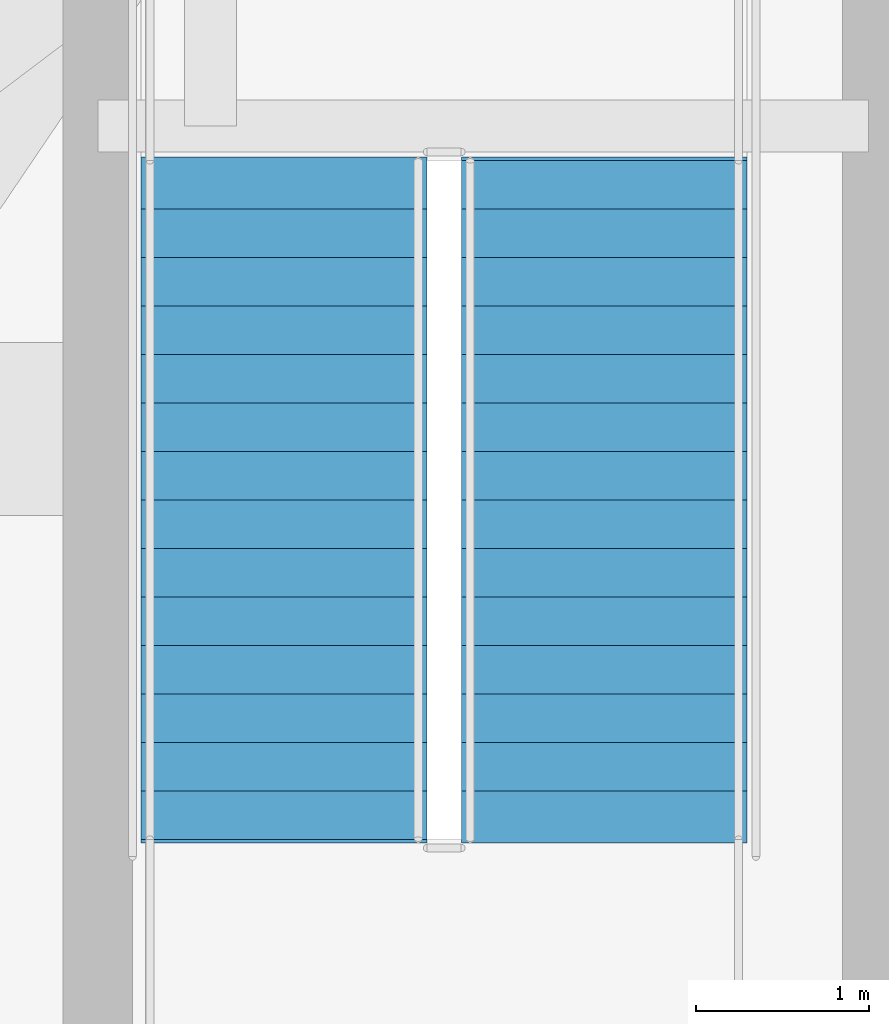
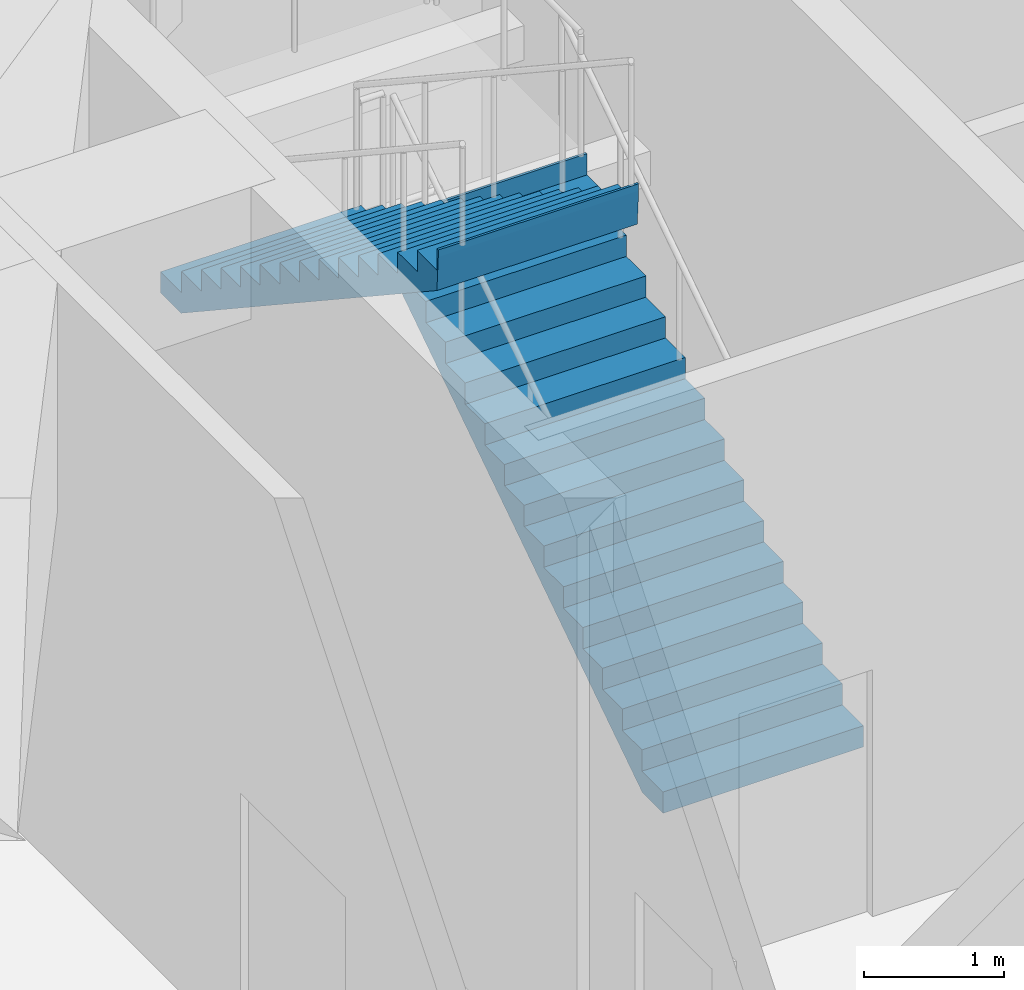
# One storey, part 34 of 38: 2 stair flights, 1 element without a shape of its own.
"""IFC4 building model written with IfcOpenShell, lengths in metres."""

from ifc_helpers import new_model, si_unit, direction, frame, origin, place, context, subcontext, project, spatial, polygons, material, type_object, element, aggregate, save


model = new_model("IFC4")

# Units and contexts
model_context = context("Model", 3, precision=1e-05, world=origin(), true_north=direction((0.0, 1.0)))
body_context = subcontext(model_context, "Body", "Model", "MODEL_VIEW")
ifc_project = project(units=[si_unit("LENGTHUNIT", "METRE"), si_unit("AREAUNIT", "SQUARE_METRE"), si_unit("VOLUMEUNIT", "CUBIC_METRE"), si_unit("PLANEANGLEUNIT", "RADIAN"), si_unit("MASSUNIT", "GRAM", prefix="KILO")], contexts=[model_context])

# Site, building, storey
site_placement = place(None, origin())
site = spatial("IfcSite", under=ifc_project, at=site_placement, CompositionType="ELEMENT")
building_placement = place(site_placement, origin())
building = spatial("IfcBuilding", under=site, at=building_placement, Name="Serunith Strait Residences", CompositionType="ELEMENT")
storey_placement = place(building_placement, frame((0.0, 0.0, 204.89990234375)))
storey = spatial("IfcBuildingStorey", under=building, at=storey_placement, Name="L51", CompositionType="ELEMENT", Elevation=204.89990234375)

# Stair, stair flights
ifc_material = material(Name="Concrete C50/60", Category="concrete")
stair_type = type_object("IfcStairType", Name="STR-CORE-1", PredefinedType="HALF_TURN_STAIR", material=ifc_material)
stair_placement = place(storey_placement, origin())
stair = element("IfcStair", 1, at=stair_placement, inside=storey, type_object=stair_type, Name="L51 Protected Escape Stair ST-1", PredefinedType="HALF_TURN_STAIR")
stair_flight_type = type_object("IfcStairFlightType", Name="FLT-CORE-1", PredefinedType="STRAIGHT", material=ifc_material)
stair_flight_1_placement = place(storey_placement, frame((26.324951171875, 27.030029296875, 0.0), z_axis=(0.0, 0.0, 1.0), x_axis=(0.0, 1.0, 0.0)))
stair_flight_1 = element("IfcStairFlight", 2, at=stair_flight_1_placement, type_object=stair_flight_type, Name="ST-1 flight 1", NumberOfRisers=15, NumberOfTreads=14, PredefinedType="STRAIGHT", RiserHeight=0.185, TreadLength=0.28, context=body_context, shape_type="Tessellation", body=[
    polygons([(-0.02001953125, -0.824951171875, 0.0), (-0.02001953125, -0.824951171875, 0.18505859375), (0.280029296875, -0.824951171875, 0.18505859375), (0.280029296875, -0.824951171875, 0.3701171875), (0.56005859375, -0.824951171875, 0.3701171875), (0.56005859375, -0.824951171875, 0.554931640625), (0.840087890625, -0.824951171875, 0.554931640625), (0.840087890625, -0.824951171875, 0.739990234375), (1.1201171875, -0.824951171875, 0.739990234375), (1.1201171875, -0.824951171875, 0.925048828125), (1.39990234375, -0.824951171875, 0.925048828125), (1.39990234375, -0.824951171875, 1.110107421875), (1.679931640625, -0.824951171875, 1.110107421875), (1.679931640625, -0.824951171875, 1.294921875), (1.9599609375, -0.824951171875, 1.294921875), (1.9599609375, -0.824951171875, 1.47998046875), (2.239990234375, -0.824951171875, 1.47998046875), (2.239990234375, -0.824951171875, 1.6650390625), (2.52001953125, -0.824951171875, 1.6650390625), (2.52001953125, -0.824951171875, 1.85009765625), (2.800048828125, -0.824951171875, 1.85009765625), (2.800048828125, -0.824951171875, 2.034912109375), (3.080078125, -0.824951171875, 2.034912109375), (3.080078125, -0.824951171875, 2.219970703125), (3.360107421875, -0.824951171875, 2.219970703125), (3.360107421875, -0.824951171875, 2.405029296875), (3.639892578125, -0.824951171875, 2.405029296875), (3.639892578125, -0.824951171875, 2.590087890625), (3.919921875, -0.824951171875, 2.590087890625), (3.919921875, -0.824951171875, 2.77490234375), (3.93994140625, -0.824951171875, 2.77490234375), (3.93994140625, -0.824951171875, 2.715087890625), (3.919921875, -0.824951171875, 2.410400390625), (0.27197265625, -0.824951171875, 0.0), (-0.02001953125, -0.41259765625, 0.0), (-0.02001953125, -0.41259765625, 0.18505859375), (0.280029296875, -0.41259765625, 0.18505859375), (0.280029296875, -0.41259765625, 0.3701171875), (0.56005859375, -0.41259765625, 0.3701171875), (0.56005859375, -0.41259765625, 0.554931640625), (0.840087890625, -0.41259765625, 0.554931640625), (0.840087890625, -0.41259765625, 0.739990234375), (1.1201171875, -0.41259765625, 0.739990234375), (1.1201171875, -0.41259765625, 0.925048828125), (1.39990234375, -0.41259765625, 0.925048828125), (1.39990234375, -0.41259765625, 1.110107421875), (1.679931640625, -0.41259765625, 1.110107421875), (1.679931640625, -0.41259765625, 1.294921875), (1.9599609375, -0.41259765625, 1.294921875), (1.9599609375, -0.41259765625, 1.47998046875), (2.239990234375, -0.41259765625, 1.47998046875), (2.239990234375, -0.41259765625, 1.6650390625), (2.52001953125, -0.41259765625, 1.6650390625), (2.52001953125, -0.41259765625, 1.85009765625), (2.800048828125, -0.41259765625, 1.85009765625), (2.800048828125, -0.41259765625, 2.034912109375), (3.080078125, -0.41259765625, 2.034912109375), (3.080078125, -0.41259765625, 2.219970703125), (3.360107421875, -0.41259765625, 2.219970703125), (3.360107421875, -0.41259765625, 2.405029296875), (3.639892578125, -0.41259765625, 2.405029296875), (3.639892578125, -0.41259765625, 2.590087890625), (3.919921875, -0.41259765625, 2.590087890625), (3.919921875, -0.41259765625, 2.77490234375), (3.93994140625, -0.41259765625, 2.77490234375), (3.93994140625, -0.41259765625, 2.715087890625), (3.919921875, -0.41259765625, 2.410400390625), (0.27197265625, -0.41259765625, 0.0), (-0.02001953125, 0.0, 0.0), (-0.02001953125, 0.0, 0.18505859375), (0.280029296875, 0.0, 0.18505859375), (0.280029296875, 0.0, 0.3701171875), (0.56005859375, 0.0, 0.3701171875), (0.56005859375, 0.0, 0.554931640625), (0.840087890625, 0.0, 0.554931640625), (0.840087890625, 0.0, 0.739990234375), (1.1201171875, 0.0, 0.739990234375), (1.1201171875, 0.0, 0.925048828125), (1.39990234375, 0.0, 0.925048828125), (1.39990234375, 0.0, 1.110107421875), (1.679931640625, 0.0, 1.110107421875), (1.679931640625, 0.0, 1.294921875), (1.9599609375, 0.0, 1.294921875), (1.9599609375, 0.0, 1.47998046875), (2.239990234375, 0.0, 1.47998046875), (2.239990234375, 0.0, 1.6650390625), (2.52001953125, 0.0, 1.6650390625), (2.52001953125, 0.0, 1.85009765625), (2.800048828125, 0.0, 1.85009765625), (2.800048828125, 0.0, 2.034912109375), (3.080078125, 0.0, 2.034912109375), (3.080078125, 0.0, 2.219970703125), (3.360107421875, 0.0, 2.219970703125), (3.360107421875, 0.0, 2.405029296875), (3.639892578125, 0.0, 2.405029296875), (3.639892578125, 0.0, 2.590087890625), (3.919921875, 0.0, 2.590087890625), (3.919921875, 0.0, 2.77490234375), (3.93994140625, 0.0, 2.77490234375), (3.93994140625, 0.0, 2.715087890625), (3.919921875, 0.0, 2.410400390625), (0.27197265625, 0.0, 0.0), (-0.02001953125, 0.41259765625, 0.0), (-0.02001953125, 0.41259765625, 0.18505859375), (0.280029296875, 0.41259765625, 0.18505859375), (0.280029296875, 0.41259765625, 0.3701171875), (0.56005859375, 0.41259765625, 0.3701171875), (0.56005859375, 0.41259765625, 0.554931640625), (0.840087890625, 0.41259765625, 0.554931640625), (0.840087890625, 0.41259765625, 0.739990234375), (1.1201171875, 0.41259765625, 0.739990234375), (1.1201171875, 0.41259765625, 0.925048828125), (1.39990234375, 0.41259765625, 0.925048828125), (1.39990234375, 0.41259765625, 1.110107421875), (1.679931640625, 0.41259765625, 1.110107421875), (1.679931640625, 0.41259765625, 1.294921875), (1.9599609375, 0.41259765625, 1.294921875), (1.9599609375, 0.41259765625, 1.47998046875), (2.239990234375, 0.41259765625, 1.47998046875), (2.239990234375, 0.41259765625, 1.6650390625), (2.52001953125, 0.41259765625, 1.6650390625), (2.52001953125, 0.41259765625, 1.85009765625), (2.800048828125, 0.41259765625, 1.85009765625), (2.800048828125, 0.41259765625, 2.034912109375), (3.080078125, 0.41259765625, 2.034912109375), (3.080078125, 0.41259765625, 2.219970703125), (3.360107421875, 0.41259765625, 2.219970703125), (3.360107421875, 0.41259765625, 2.405029296875), (3.639892578125, 0.41259765625, 2.405029296875), (3.639892578125, 0.41259765625, 2.590087890625), (3.919921875, 0.41259765625, 2.590087890625), (3.919921875, 0.41259765625, 2.77490234375), (3.93994140625, 0.41259765625, 2.77490234375), (3.93994140625, 0.41259765625, 2.715087890625), (3.919921875, 0.41259765625, 2.410400390625), (0.27197265625, 0.41259765625, 0.0), (-0.02001953125, 0.824951171875, 0.0), (-0.02001953125, 0.824951171875, 0.18505859375), (0.280029296875, 0.824951171875, 0.18505859375), (0.280029296875, 0.824951171875, 0.3701171875), (0.56005859375, 0.824951171875, 0.3701171875), (0.56005859375, 0.824951171875, 0.554931640625), (0.840087890625, 0.824951171875, 0.554931640625), (0.840087890625, 0.824951171875, 0.739990234375), (1.1201171875, 0.824951171875, 0.739990234375), (1.1201171875, 0.824951171875, 0.925048828125), (1.39990234375, 0.824951171875, 0.925048828125), (1.39990234375, 0.824951171875, 1.110107421875), (1.679931640625, 0.824951171875, 1.110107421875), (1.679931640625, 0.824951171875, 1.294921875), (1.9599609375, 0.824951171875, 1.294921875), (1.9599609375, 0.824951171875, 1.47998046875), (2.239990234375, 0.824951171875, 1.47998046875), (2.239990234375, 0.824951171875, 1.6650390625), (2.52001953125, 0.824951171875, 1.6650390625), (2.52001953125, 0.824951171875, 1.85009765625), (2.800048828125, 0.824951171875, 1.85009765625), (2.800048828125, 0.824951171875, 2.034912109375), (3.080078125, 0.824951171875, 2.034912109375), (3.080078125, 0.824951171875, 2.219970703125), (3.360107421875, 0.824951171875, 2.219970703125), (3.360107421875, 0.824951171875, 2.405029296875), (3.639892578125, 0.824951171875, 2.405029296875), (3.639892578125, 0.824951171875, 2.590087890625), (3.919921875, 0.824951171875, 2.590087890625), (3.919921875, 0.824951171875, 2.77490234375), (3.93994140625, 0.824951171875, 2.77490234375), (3.93994140625, 0.824951171875, 2.715087890625), (3.919921875, 0.824951171875, 2.410400390625), (0.27197265625, 0.824951171875, 0.0)], [[[1, 2, 36, 35]], [[2, 3, 37, 36]], [[3, 4, 38, 37]], [[4, 5, 39, 38]], [[5, 6, 40, 39]], [[6, 7, 41, 40]], [[7, 8, 42, 41]], [[8, 9, 43, 42]], [[9, 10, 44, 43]], [[10, 11, 45, 44]], [[11, 12, 46, 45]], [[12, 13, 47, 46]], [[13, 14, 48, 47]], [[14, 15, 49, 48]], [[15, 16, 50, 49]], [[16, 17, 51, 50]], [[17, 18, 52, 51]], [[18, 19, 53, 52]], [[19, 20, 54, 53]], [[20, 21, 55, 54]], [[21, 22, 56, 55]], [[22, 23, 57, 56]], [[23, 24, 58, 57]], [[24, 25, 59, 58]], [[25, 26, 60, 59]], [[26, 27, 61, 60]], [[27, 28, 62, 61]], [[28, 29, 63, 62]], [[29, 30, 64, 63]], [[30, 31, 65, 64]], [[31, 32, 66, 65]], [[32, 33, 67, 66]], [[33, 34, 68, 67]], [[34, 1, 35, 68]], [[35, 36, 70, 69]], [[36, 37, 71, 70]], [[37, 38, 72, 71]], [[38, 39, 73, 72]], [[39, 40, 74, 73]], [[40, 41, 75, 74]], [[41, 42, 76, 75]], [[42, 43, 77, 76]], [[43, 44, 78, 77]], [[44, 45, 79, 78]], [[45, 46, 80, 79]], [[46, 47, 81, 80]], [[47, 48, 82, 81]], [[48, 49, 83, 82]], [[49, 50, 84, 83]], [[50, 51, 85, 84]], [[51, 52, 86, 85]], [[52, 53, 87, 86]], [[53, 54, 88, 87]], [[54, 55, 89, 88]], [[55, 56, 90, 89]], [[56, 57, 91, 90]], [[57, 58, 92, 91]], [[58, 59, 93, 92]], [[59, 60, 94, 93]], [[60, 61, 95, 94]], [[61, 62, 96, 95]], [[62, 63, 97, 96]], [[63, 64, 98, 97]], [[64, 65, 99, 98]], [[65, 66, 100, 99]], [[66, 67, 101, 100]], [[67, 68, 102, 101]], [[68, 35, 69, 102]], [[69, 70, 104, 103]], [[70, 71, 105, 104]], [[71, 72, 106, 105]], [[72, 73, 107, 106]], [[73, 74, 108, 107]], [[74, 75, 109, 108]], [[75, 76, 110, 109]], [[76, 77, 111, 110]], [[77, 78, 112, 111]], [[78, 79, 113, 112]], [[79, 80, 114, 113]], [[80, 81, 115, 114]], [[81, 82, 116, 115]], [[82, 83, 117, 116]], [[83, 84, 118, 117]], [[84, 85, 119, 118]], [[85, 86, 120, 119]], [[86, 87, 121, 120]], [[87, 88, 122, 121]], [[88, 89, 123, 122]], [[89, 90, 124, 123]], [[90, 91, 125, 124]], [[91, 92, 126, 125]], [[92, 93, 127, 126]], [[93, 94, 128, 127]], [[94, 95, 129, 128]], [[95, 96, 130, 129]], [[96, 97, 131, 130]], [[97, 98, 132, 131]], [[98, 99, 133, 132]], [[99, 100, 134, 133]], [[100, 101, 135, 134]], [[101, 102, 136, 135]], [[102, 69, 103, 136]], [[103, 104, 138, 137]], [[104, 105, 139, 138]], [[105, 106, 140, 139]], [[106, 107, 141, 140]], [[107, 108, 142, 141]], [[108, 109, 143, 142]], [[109, 110, 144, 143]], [[110, 111, 145, 144]], [[111, 112, 146, 145]], [[112, 113, 147, 146]], [[113, 114, 148, 147]], [[114, 115, 149, 148]], [[115, 116, 150, 149]], [[116, 117, 151, 150]], [[117, 118, 152, 151]], [[118, 119, 153, 152]], [[119, 120, 154, 153]], [[120, 121, 155, 154]], [[121, 122, 156, 155]], [[122, 123, 157, 156]], [[123, 124, 158, 157]], [[124, 125, 159, 158]], [[125, 126, 160, 159]], [[126, 127, 161, 160]], [[127, 128, 162, 161]], [[128, 129, 163, 162]], [[129, 130, 164, 163]], [[130, 131, 165, 164]], [[131, 132, 166, 165]], [[132, 133, 167, 166]], [[133, 134, 168, 167]], [[134, 135, 169, 168]], [[135, 136, 170, 169]], [[136, 103, 137, 170]], [[34, 33, 32, 31, 30, 29, 28, 27, 26, 25, 24, 23, 22, 21, 20, 19, 18, 17, 16, 15, 14, 13, 12, 11, 10, 9, 8, 7, 6, 5, 4, 3, 2, 1]], [[137, 138, 139, 140, 141, 142, 143, 144, 145, 146, 147, 148, 149, 150, 151, 152, 153, 154, 155, 156, 157, 158, 159, 160, 161, 162, 163, 164, 165, 166, 167, 168, 169, 170]]], closed=True),
])
stair_flight_2_placement = place(storey_placement, frame((24.47509765625, 30.949951171875, 2.775146484375), z_axis=(0.0, 0.0, 1.0), x_axis=(0.0, -1.0, 0.0)))
stair_flight_2 = element("IfcStairFlight", 3, at=stair_flight_2_placement, type_object=stair_flight_type, Name="ST-1 flight 2", NumberOfRisers=15, NumberOfTreads=14, PredefinedType="STRAIGHT", RiserHeight=0.185, TreadLength=0.28, context=body_context, shape_type="Tessellation", body=[
    polygons([(-0.02001953125, -0.824951171875, 0.0), (-0.02001953125, -0.824951171875, 0.18505859375), (0.280029296875, -0.824951171875, 0.18505859375), (0.280029296875, -0.824951171875, 0.3701171875), (0.56005859375, -0.824951171875, 0.3701171875), (0.56005859375, -0.824951171875, 0.554931640625), (0.840087890625, -0.824951171875, 0.554931640625), (0.840087890625, -0.824951171875, 0.739990234375), (1.1201171875, -0.824951171875, 0.739990234375), (1.1201171875, -0.824951171875, 0.925048828125), (1.39990234375, -0.824951171875, 0.925048828125), (1.39990234375, -0.824951171875, 1.110107421875), (1.679931640625, -0.824951171875, 1.110107421875), (1.679931640625, -0.824951171875, 1.294921875), (1.9599609375, -0.824951171875, 1.294921875), (1.9599609375, -0.824951171875, 1.47998046875), (2.239990234375, -0.824951171875, 1.47998046875), (2.239990234375, -0.824951171875, 1.6650390625), (2.52001953125, -0.824951171875, 1.6650390625), (2.52001953125, -0.824951171875, 1.85009765625), (2.800048828125, -0.824951171875, 1.85009765625), (2.800048828125, -0.824951171875, 2.034912109375), (3.080078125, -0.824951171875, 2.034912109375), (3.080078125, -0.824951171875, 2.219970703125), (3.360107421875, -0.824951171875, 2.219970703125), (3.360107421875, -0.824951171875, 2.405029296875), (3.639892578125, -0.824951171875, 2.405029296875), (3.639892578125, -0.824951171875, 2.590087890625), (3.919921875, -0.824951171875, 2.590087890625), (3.919921875, -0.824951171875, 2.77490234375), (3.93994140625, -0.824951171875, 2.77490234375), (3.93994140625, -0.824951171875, 2.715087890625), (3.919921875, -0.824951171875, 2.410400390625), (0.27197265625, -0.824951171875, 0.0), (-0.02001953125, -0.41259765625, 0.0), (-0.02001953125, -0.41259765625, 0.18505859375), (0.280029296875, -0.41259765625, 0.18505859375), (0.280029296875, -0.41259765625, 0.3701171875), (0.56005859375, -0.41259765625, 0.3701171875), (0.56005859375, -0.41259765625, 0.554931640625), (0.840087890625, -0.41259765625, 0.554931640625), (0.840087890625, -0.41259765625, 0.739990234375), (1.1201171875, -0.41259765625, 0.739990234375), (1.1201171875, -0.41259765625, 0.925048828125), (1.39990234375, -0.41259765625, 0.925048828125), (1.39990234375, -0.41259765625, 1.110107421875), (1.679931640625, -0.41259765625, 1.110107421875), (1.679931640625, -0.41259765625, 1.294921875), (1.9599609375, -0.41259765625, 1.294921875), (1.9599609375, -0.41259765625, 1.47998046875), (2.239990234375, -0.41259765625, 1.47998046875), (2.239990234375, -0.41259765625, 1.6650390625), (2.52001953125, -0.41259765625, 1.6650390625), (2.52001953125, -0.41259765625, 1.85009765625), (2.800048828125, -0.41259765625, 1.85009765625), (2.800048828125, -0.41259765625, 2.034912109375), (3.080078125, -0.41259765625, 2.034912109375), (3.080078125, -0.41259765625, 2.219970703125), (3.360107421875, -0.41259765625, 2.219970703125), (3.360107421875, -0.41259765625, 2.405029296875), (3.639892578125, -0.41259765625, 2.405029296875), (3.639892578125, -0.41259765625, 2.590087890625), (3.919921875, -0.41259765625, 2.590087890625), (3.919921875, -0.41259765625, 2.77490234375), (3.93994140625, -0.41259765625, 2.77490234375), (3.93994140625, -0.41259765625, 2.715087890625), (3.919921875, -0.41259765625, 2.410400390625), (0.27197265625, -0.41259765625, 0.0), (-0.02001953125, 0.0, 0.0), (-0.02001953125, 0.0, 0.18505859375), (0.280029296875, 0.0, 0.18505859375), (0.280029296875, 0.0, 0.3701171875), (0.56005859375, 0.0, 0.3701171875), (0.56005859375, 0.0, 0.554931640625), (0.840087890625, 0.0, 0.554931640625), (0.840087890625, 0.0, 0.739990234375), (1.1201171875, 0.0, 0.739990234375), (1.1201171875, 0.0, 0.925048828125), (1.39990234375, 0.0, 0.925048828125), (1.39990234375, 0.0, 1.110107421875), (1.679931640625, 0.0, 1.110107421875), (1.679931640625, 0.0, 1.294921875), (1.9599609375, 0.0, 1.294921875), (1.9599609375, 0.0, 1.47998046875), (2.239990234375, 0.0, 1.47998046875), (2.239990234375, 0.0, 1.6650390625), (2.52001953125, 0.0, 1.6650390625), (2.52001953125, 0.0, 1.85009765625), (2.800048828125, 0.0, 1.85009765625), (2.800048828125, 0.0, 2.034912109375), (3.080078125, 0.0, 2.034912109375), (3.080078125, 0.0, 2.219970703125), (3.360107421875, 0.0, 2.219970703125), (3.360107421875, 0.0, 2.405029296875), (3.639892578125, 0.0, 2.405029296875), (3.639892578125, 0.0, 2.590087890625), (3.919921875, 0.0, 2.590087890625), (3.919921875, 0.0, 2.77490234375), (3.93994140625, 0.0, 2.77490234375), (3.93994140625, 0.0, 2.715087890625), (3.919921875, 0.0, 2.410400390625), (0.27197265625, 0.0, 0.0), (-0.02001953125, 0.41259765625, 0.0), (-0.02001953125, 0.41259765625, 0.18505859375), (0.280029296875, 0.41259765625, 0.18505859375), (0.280029296875, 0.41259765625, 0.3701171875), (0.56005859375, 0.41259765625, 0.3701171875), (0.56005859375, 0.41259765625, 0.554931640625), (0.840087890625, 0.41259765625, 0.554931640625), (0.840087890625, 0.41259765625, 0.739990234375), (1.1201171875, 0.41259765625, 0.739990234375), (1.1201171875, 0.41259765625, 0.925048828125), (1.39990234375, 0.41259765625, 0.925048828125), (1.39990234375, 0.41259765625, 1.110107421875), (1.679931640625, 0.41259765625, 1.110107421875), (1.679931640625, 0.41259765625, 1.294921875), (1.9599609375, 0.41259765625, 1.294921875), (1.9599609375, 0.41259765625, 1.47998046875), (2.239990234375, 0.41259765625, 1.47998046875), (2.239990234375, 0.41259765625, 1.6650390625), (2.52001953125, 0.41259765625, 1.6650390625), (2.52001953125, 0.41259765625, 1.85009765625), (2.800048828125, 0.41259765625, 1.85009765625), (2.800048828125, 0.41259765625, 2.034912109375), (3.080078125, 0.41259765625, 2.034912109375), (3.080078125, 0.41259765625, 2.219970703125), (3.360107421875, 0.41259765625, 2.219970703125), (3.360107421875, 0.41259765625, 2.405029296875), (3.639892578125, 0.41259765625, 2.405029296875), (3.639892578125, 0.41259765625, 2.590087890625), (3.919921875, 0.41259765625, 2.590087890625), (3.919921875, 0.41259765625, 2.77490234375), (3.93994140625, 0.41259765625, 2.77490234375), (3.93994140625, 0.41259765625, 2.715087890625), (3.919921875, 0.41259765625, 2.410400390625), (0.27197265625, 0.41259765625, 0.0), (-0.02001953125, 0.824951171875, 0.0), (-0.02001953125, 0.824951171875, 0.18505859375), (0.280029296875, 0.824951171875, 0.18505859375), (0.280029296875, 0.824951171875, 0.3701171875), (0.56005859375, 0.824951171875, 0.3701171875), (0.56005859375, 0.824951171875, 0.554931640625), (0.840087890625, 0.824951171875, 0.554931640625), (0.840087890625, 0.824951171875, 0.739990234375), (1.1201171875, 0.824951171875, 0.739990234375), (1.1201171875, 0.824951171875, 0.925048828125), (1.39990234375, 0.824951171875, 0.925048828125), (1.39990234375, 0.824951171875, 1.110107421875), (1.679931640625, 0.824951171875, 1.110107421875), (1.679931640625, 0.824951171875, 1.294921875), (1.9599609375, 0.824951171875, 1.294921875), (1.9599609375, 0.824951171875, 1.47998046875), (2.239990234375, 0.824951171875, 1.47998046875), (2.239990234375, 0.824951171875, 1.6650390625), (2.52001953125, 0.824951171875, 1.6650390625), (2.52001953125, 0.824951171875, 1.85009765625), (2.800048828125, 0.824951171875, 1.85009765625), (2.800048828125, 0.824951171875, 2.034912109375), (3.080078125, 0.824951171875, 2.034912109375), (3.080078125, 0.824951171875, 2.219970703125), (3.360107421875, 0.824951171875, 2.219970703125), (3.360107421875, 0.824951171875, 2.405029296875), (3.639892578125, 0.824951171875, 2.405029296875), (3.639892578125, 0.824951171875, 2.590087890625), (3.919921875, 0.824951171875, 2.590087890625), (3.919921875, 0.824951171875, 2.77490234375), (3.93994140625, 0.824951171875, 2.77490234375), (3.93994140625, 0.824951171875, 2.715087890625), (3.919921875, 0.824951171875, 2.410400390625), (0.27197265625, 0.824951171875, 0.0)], [[[1, 2, 36, 35]], [[2, 3, 37, 36]], [[3, 4, 38, 37]], [[4, 5, 39, 38]], [[5, 6, 40, 39]], [[6, 7, 41, 40]], [[7, 8, 42, 41]], [[8, 9, 43, 42]], [[9, 10, 44, 43]], [[10, 11, 45, 44]], [[11, 12, 46, 45]], [[12, 13, 47, 46]], [[13, 14, 48, 47]], [[14, 15, 49, 48]], [[15, 16, 50, 49]], [[16, 17, 51, 50]], [[17, 18, 52, 51]], [[18, 19, 53, 52]], [[19, 20, 54, 53]], [[20, 21, 55, 54]], [[21, 22, 56, 55]], [[22, 23, 57, 56]], [[23, 24, 58, 57]], [[24, 25, 59, 58]], [[25, 26, 60, 59]], [[26, 27, 61, 60]], [[27, 28, 62, 61]], [[28, 29, 63, 62]], [[29, 30, 64, 63]], [[30, 31, 65, 64]], [[31, 32, 66, 65]], [[32, 33, 67, 66]], [[33, 34, 68, 67]], [[34, 1, 35, 68]], [[35, 36, 70, 69]], [[36, 37, 71, 70]], [[37, 38, 72, 71]], [[38, 39, 73, 72]], [[39, 40, 74, 73]], [[40, 41, 75, 74]], [[41, 42, 76, 75]], [[42, 43, 77, 76]], [[43, 44, 78, 77]], [[44, 45, 79, 78]], [[45, 46, 80, 79]], [[46, 47, 81, 80]], [[47, 48, 82, 81]], [[48, 49, 83, 82]], [[49, 50, 84, 83]], [[50, 51, 85, 84]], [[51, 52, 86, 85]], [[52, 53, 87, 86]], [[53, 54, 88, 87]], [[54, 55, 89, 88]], [[55, 56, 90, 89]], [[56, 57, 91, 90]], [[57, 58, 92, 91]], [[58, 59, 93, 92]], [[59, 60, 94, 93]], [[60, 61, 95, 94]], [[61, 62, 96, 95]], [[62, 63, 97, 96]], [[63, 64, 98, 97]], [[64, 65, 99, 98]], [[65, 66, 100, 99]], [[66, 67, 101, 100]], [[67, 68, 102, 101]], [[68, 35, 69, 102]], [[69, 70, 104, 103]], [[70, 71, 105, 104]], [[71, 72, 106, 105]], [[72, 73, 107, 106]], [[73, 74, 108, 107]], [[74, 75, 109, 108]], [[75, 76, 110, 109]], [[76, 77, 111, 110]], [[77, 78, 112, 111]], [[78, 79, 113, 112]], [[79, 80, 114, 113]], [[80, 81, 115, 114]], [[81, 82, 116, 115]], [[82, 83, 117, 116]], [[83, 84, 118, 117]], [[84, 85, 119, 118]], [[85, 86, 120, 119]], [[86, 87, 121, 120]], [[87, 88, 122, 121]], [[88, 89, 123, 122]], [[89, 90, 124, 123]], [[90, 91, 125, 124]], [[91, 92, 126, 125]], [[92, 93, 127, 126]], [[93, 94, 128, 127]], [[94, 95, 129, 128]], [[95, 96, 130, 129]], [[96, 97, 131, 130]], [[97, 98, 132, 131]], [[98, 99, 133, 132]], [[99, 100, 134, 133]], [[100, 101, 135, 134]], [[101, 102, 136, 135]], [[102, 69, 103, 136]], [[103, 104, 138, 137]], [[104, 105, 139, 138]], [[105, 106, 140, 139]], [[106, 107, 141, 140]], [[107, 108, 142, 141]], [[108, 109, 143, 142]], [[109, 110, 144, 143]], [[110, 111, 145, 144]], [[111, 112, 146, 145]], [[112, 113, 147, 146]], [[113, 114, 148, 147]], [[114, 115, 149, 148]], [[115, 116, 150, 149]], [[116, 117, 151, 150]], [[117, 118, 152, 151]], [[118, 119, 153, 152]], [[119, 120, 154, 153]], [[120, 121, 155, 154]], [[121, 122, 156, 155]], [[122, 123, 157, 156]], [[123, 124, 158, 157]], [[124, 125, 159, 158]], [[125, 126, 160, 159]], [[126, 127, 161, 160]], [[127, 128, 162, 161]], [[128, 129, 163, 162]], [[129, 130, 164, 163]], [[130, 131, 165, 164]], [[131, 132, 166, 165]], [[132, 133, 167, 166]], [[133, 134, 168, 167]], [[134, 135, 169, 168]], [[135, 136, 170, 169]], [[136, 103, 137, 170]], [[34, 33, 32, 31, 30, 29, 28, 27, 26, 25, 24, 23, 22, 21, 20, 19, 18, 17, 16, 15, 14, 13, 12, 11, 10, 9, 8, 7, 6, 5, 4, 3, 2, 1]], [[137, 138, 139, 140, 141, 142, 143, 144, 145, 146, 147, 148, 149, 150, 151, 152, 153, 154, 155, 156, 157, 158, 159, 160, 161, 162, 163, 164, 165, 166, 167, 168, 169, 170]]], closed=True),
])
aggregate(stair, [stair_flight_1, stair_flight_2])

save(model, "model.ifc")
